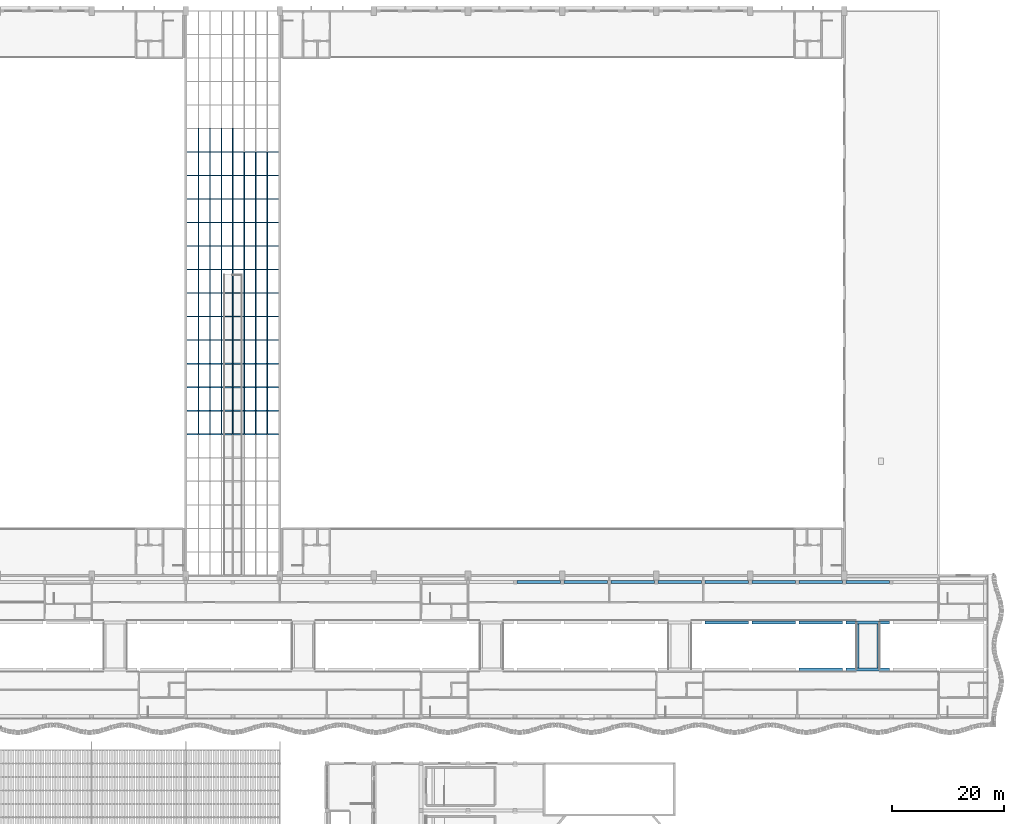
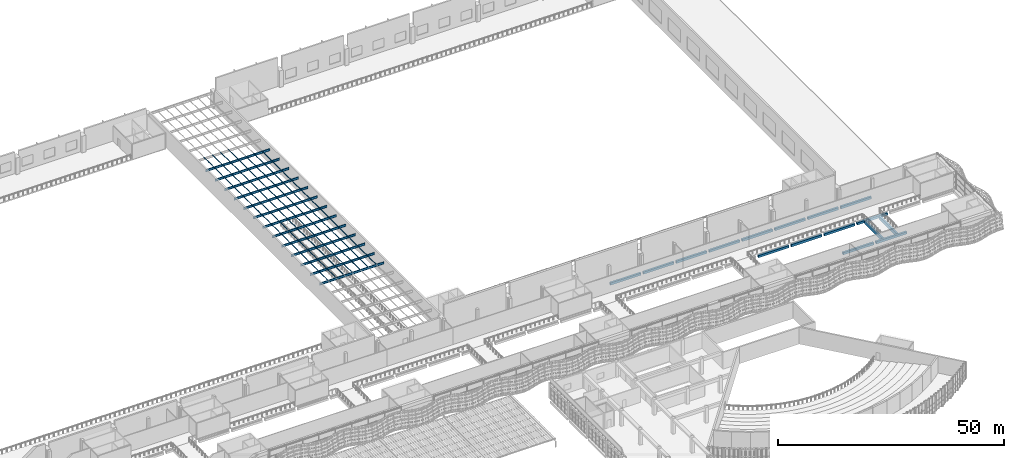
# One storey, part 55 of 162: 88 members, 29 beams.
"""IFC4 building model written with IfcOpenShell, lengths in metres."""

import ifcopenshell
import ifcopenshell.guid

model = None  # the IFC model being written
_history = None  # IfcOwnerHistory: only IFC2X3 demands one
_inside = {}  # id of a spatial element -> (the spatial element, [elements in it])
_under = {}  # id of a project, library or spatial element -> (it, [spatial elements below it])
_declared = {}  # id of a project -> (the project, [libraries it declares])
_typed = {}  # id of a type object -> (the type object, [elements of that type])
_made_of = {}  # id of a material, layer set ... -> (it, [elements and type objects made of it])


def new_model(schema):
    """Start an empty IFC model of exactly this schema.

    Asked for "IFC4X3", IfcOpenShell would pick the latest addendum, in which some entities
    have other attributes; the version numbers below select the first issue.
    IFC2X3 requires an IfcOwnerHistory on every rooted entity: one is made here for all.
    """
    global model, _history
    if schema == "IFC4X3":
        model = ifcopenshell.file(schema_version=(4, 3, 0, 0))
    else:
        model = ifcopenshell.file(schema=schema)
    _inside.clear()
    _under.clear()
    _declared.clear()
    _typed.clear()
    _made_of.clear()
    _history = None
    if model.schema == "IFC2X3":
        org = make("IfcOrganization", Name="unknown")
        user = make(
            "IfcPersonAndOrganization",
            ThePerson=make("IfcPerson", FamilyName="unknown"),
            TheOrganization=org,
        )
        app = make(
            "IfcApplication",
            ApplicationDeveloper=org,
            Version="unknown",
            ApplicationFullName="unknown",
            ApplicationIdentifier="unknown",
        )
        _history = make(
            "IfcOwnerHistory",
            OwningUser=user,
            OwningApplication=app,
            ChangeAction="ADDED",
            CreationDate=0,
        )
    return model


def make(cls, **values):
    """One entity of the class cls with the attributes given. An attribute that is None is left unset."""
    return model.create_entity(
        cls, **{name: value for name, value in values.items() if value is not None}
    )


def rooted(cls, **values):
    """An entity with a GlobalId (a new one), such as an element, a storey or a relation."""
    return make(cls, GlobalId=ifcopenshell.guid.new(), OwnerHistory=_history, **values)


def si_unit(unit_type, name, prefix=None):
    """IfcSIUnit, for example si_unit("LENGTHUNIT", "METRE", prefix="MILLI")."""
    return make("IfcSIUnit", UnitType=unit_type, Prefix=prefix, Name=name)


def assignment(units):
    """IfcUnitAssignment: the units of a project."""
    return None if units is None else make("IfcUnitAssignment", Units=units)


def point(xyz):
    """IfcCartesianPoint."""
    return None if xyz is None else make("IfcCartesianPoint", Coordinates=xyz)


def direction(xyz):
    """IfcDirection."""
    return None if xyz is None else make("IfcDirection", DirectionRatios=xyz)


def frame(location, z_axis=None, x_axis=None):
    """IfcAxis2Placement3D, a coordinate frame: its origin and axes. An axis left out is left unset."""
    return make(
        "IfcAxis2Placement3D",
        Location=point(location),
        Axis=direction(z_axis),
        RefDirection=direction(x_axis),
    )


def frame_2d(location, x_axis=None):
    """IfcAxis2Placement2D, a coordinate frame in the plane: its origin and x axis."""
    return make(
        "IfcAxis2Placement2D", Location=point(location), RefDirection=direction(x_axis)
    )


def origin():
    """The frame at (0, 0, 0) with its axes left unset."""
    return frame((0.0, 0.0, 0.0))


def origin_2d():
    """The frame at (0, 0) in the plane with its x axis left unset."""
    return frame_2d((0.0, 0.0))


def place(relative_to, where):
    """IfcLocalPlacement: puts the frame where relative to a parent placement (None: the world)."""
    return make(
        "IfcLocalPlacement", PlacementRelTo=relative_to, RelativePlacement=where
    )


def context(
    kind, dimensions, precision=None, world=None, true_north=None, identifier=None
):
    """IfcGeometricRepresentationContext, for example the 3D "Model" context."""
    return make(
        "IfcGeometricRepresentationContext",
        ContextIdentifier=identifier,
        ContextType=kind,
        CoordinateSpaceDimension=dimensions,
        Precision=precision,
        WorldCoordinateSystem=world,
        TrueNorth=true_north,
    )


def subcontext(parent, identifier, kind, view, scale=None):
    """IfcGeometricRepresentationSubContext, for example "Body" below "Model"."""
    return make(
        "IfcGeometricRepresentationSubContext",
        ContextIdentifier=identifier,
        ContextType=kind,
        ParentContext=parent,
        TargetScale=scale,
        TargetView=view,
    )


def project(units=None, contexts=None):
    """IfcProject with its units and contexts."""
    return rooted(
        "IfcProject",
        Name="project",
        RepresentationContexts=contexts,
        UnitsInContext=assignment(units),
    )


def spatial(cls, under=None, at=None, **own):
    """A site, building, storey or space (cls), placed at a placement, below another one or the project."""
    s = rooted(cls, ObjectPlacement=at, **own)
    if under is not None:
        _under.setdefault(under.id(), (under, []))[1].append(s)
    return s


def profile(cls, at=None, kind="AREA", **sizes):
    """A parametric profile (cls). Its sizes go by their IFC names, for example OverallWidth=200.0."""
    return make(cls, ProfileType=kind, Position=at, **sizes)


def rectangle(**sizes):
    """IfcRectangleProfileDef."""
    return profile("IfcRectangleProfileDef", **sizes)


def hollow_circle(**sizes):
    """IfcCircleHollowProfileDef."""
    return profile("IfcCircleHollowProfileDef", **sizes)


def i_section(**sizes):
    """IfcIShapeProfileDef."""
    return profile("IfcIShapeProfileDef", **sizes)


def extrude(swept, where, along, depth):
    """IfcExtrudedAreaSolid: the profile swept, set in the frame where, extruded along a direction by depth."""
    return make(
        "IfcExtrudedAreaSolid",
        SweptArea=swept,
        Position=where,
        ExtrudedDirection=direction(along),
        Depth=depth,
    )


def shape(context_of_items, identifier, shape_type, items):
    """IfcShapeRepresentation: the items that make up one representation, for example the "Body"."""
    return make(
        "IfcShapeRepresentation",
        ContextOfItems=context_of_items,
        RepresentationIdentifier=identifier,
        RepresentationType=shape_type,
        Items=items,
    )


def material(Name=None, Category=None):
    """IfcMaterial."""
    return make("IfcMaterial", Name=Name, Category=Category)


def material_profile(
    of_material, cross_section, Name=None, Category=None, Priority=None
):
    """IfcMaterialProfile: a cross section and its material."""
    return make(
        "IfcMaterialProfile",
        Name=Name,
        Material=of_material,
        Profile=cross_section,
        Priority=Priority,
        Category=Category,
    )


def profile_set(profiles, Name=None, composite=None):
    """IfcMaterialProfileSet."""
    return make(
        "IfcMaterialProfileSet",
        Name=Name,
        MaterialProfiles=profiles,
        CompositeProfile=composite,
    )


def made_of(thing, what):
    """Note that an element or type object is made of a material, layer set ...; save() writes the relation."""
    if what is not None:
        _made_of.setdefault(what.id(), (what, []))[1].append(thing)
    return thing


def type_object(cls, material=None, **own):
    """A type object (cls), such as IfcWallType, which elements share."""
    return made_of(rooted(cls, **own), material)


def element(
    cls,
    number,
    at=None,
    inside=None,
    cuts=None,
    type_object=None,
    material=None,
    context=None,
    identifier="Body",
    shape_type=None,
    held_by="IfcProductDefinitionShape",
    body=None,
    shapes=None,
    **own,
):
    """One element of the class cls, such as IfcWall. Its Tag is "e" and its number.

    at: its placement. inside: the storey or other place that contains it. cuts: it is an
    opening in that element (IfcRelVoidsElement). A single representation is given by context,
    identifier, shape_type and body (its items); several are given by shapes. held_by: the class
    of the entity that holds the representations. save() writes the other relations.
    """
    e = rooted(cls, Tag="e%d" % number, ObjectPlacement=at, **own)
    if body is not None:
        shapes = [shape(context, identifier, shape_type, body)]
    if shapes is not None:
        e.Representation = make(held_by, Representations=shapes)
    if inside is not None:
        _inside.setdefault(inside.id(), (inside, []))[1].append(e)
    if cuts is not None:
        rooted(
            "IfcRelVoidsElement", RelatingBuildingElement=cuts, RelatedOpeningElement=e
        )
    if type_object is not None:
        _typed.setdefault(type_object.id(), (type_object, []))[1].append(e)
    return made_of(e, material)


def aggregate(whole, parts):
    """IfcRelAggregates: a whole, such as a stair, and the parts it consists of."""
    return rooted("IfcRelAggregates", RelatingObject=whole, RelatedObjects=parts)


def save(model, path):
    """Write the relations noted so far, then the file.

    IfcRelAggregates (storeys below a building ...), IfcRelContainedInSpatialStructure (elements
    in a storey), IfcRelDefinesByType, IfcRelAssociatesMaterial and IfcRelDeclares: one each for
    every whole, place, type object, material and project.
    """
    for whole, parts in _under.values():
        aggregate(whole, parts)
    for where, things in _inside.values():
        rooted(
            "IfcRelContainedInSpatialStructure",
            RelatedElements=things,
            RelatingStructure=where,
        )
    for kind, things in _typed.values():
        rooted("IfcRelDefinesByType", RelatedObjects=things, RelatingType=kind)
    for what, things in _made_of.values():
        rooted("IfcRelAssociatesMaterial", RelatedObjects=things, RelatingMaterial=what)
    for by, libraries in _declared.values():
        rooted("IfcRelDeclares", RelatingContext=by, RelatedDefinitions=libraries)
    model.write(path)


model = new_model("IFC4")

# Units and contexts
model_context = context("Model", 3, precision=1e-05, world=origin(), true_north=direction((0.0, 1.0)))
body_context = subcontext(model_context, "Body", "Model", "MODEL_VIEW")
ifc_project = project(units=[si_unit("LENGTHUNIT", "METRE"), si_unit("AREAUNIT", "SQUARE_METRE"), si_unit("VOLUMEUNIT", "CUBIC_METRE"), si_unit("PLANEANGLEUNIT", "RADIAN"), si_unit("MASSUNIT", "GRAM", prefix="KILO")], contexts=[model_context])

# Site, building, storey
site_placement = place(None, origin())
site = spatial("IfcSite", under=ifc_project, at=site_placement, CompositionType="ELEMENT")
building_placement = place(site_placement, origin())
building = spatial("IfcBuilding", under=site, at=building_placement, Name="Rain Tree Exposition and Congress Centre", CompositionType="ELEMENT")
storey_placement = place(building_placement, frame((0.0, 0.0, 6.0)))
storey = spatial("IfcBuildingStorey", under=building, at=storey_placement, Name="L01", CompositionType="ELEMENT", Elevation=6.0)

# Beams
ifc_material_1 = material(Name="Precast concrete C50/60", Category="concrete")
ifc_material_profile_1 = material_profile(ifc_material_1, rectangle(XDim=0.39990234375, YDim=0.89990234375, at=origin_2d()), Name="RC 400x900")
ifc_profile_set_1 = profile_set([ifc_material_profile_1], Name="Precast concrete C50/60")
beam_type_1 = type_object("IfcBeamType", Name="Precast beam 400x900", PredefinedType="BEAM", material=ifc_profile_set_1)
for number, where, z_axis, x_axis, name in (
    (1, (246.0, 84.25, -0.75), (0.0, 1.0, 0.0), (-1.0, 0.0, 0.0), "Concourse bridge beam 8.1"),
    (2, (249.60009765625, 84.25, -0.75), (0.0, 1.0, 0.0), (-1.0, 0.0, 0.0), "Concourse bridge beam 8.2"),
):
    element("IfcBeam", number, at=place(storey_placement, frame(where, z_axis=z_axis, x_axis=x_axis)), inside=storey, type_object=beam_type_1, Name=name, PredefinedType="BEAM", context=body_context, shape_type="SweptSolid", body=[
        extrude(rectangle(XDim=0.39990234375, YDim=0.89990234375, at=origin_2d()), origin(), (0.0, 0.0, 1.0), 7.89990234375),
    ])
ifc_material_2 = material(Name="Precast concrete C50/60", Category="concrete")
ifc_material_profile_2 = material_profile(ifc_material_2, rectangle(XDim=0.5, YDim=0.60009765625, at=origin_2d()), Name="RC 500x600")
ifc_profile_set_2 = profile_set([ifc_material_profile_2], Name="Precast concrete C50/60")
beam_type_2 = type_object("IfcBeamType", Name="Precast beam 500x600", PredefinedType="BEAM", material=ifc_profile_set_2)
for number, where, z_axis, x_axis, name in (
    (3, (235.5, 84.0, -0.60009765625), (1.0, 0.0, 0.0), (0.0, 1.0, 0.0), "Concourse floor beam 61"),
    (4, (243.89990234375, 84.0, -0.60009765625), (1.0, 0.0, 0.0), (0.0, 1.0, 0.0), "Concourse floor beam 62"),
    (5, (218.699951171875, 92.39990234375, -0.60009765625), (1.0, 0.0, 0.0), (0.0, 1.0, 0.0), "Concourse floor beam 91"),
):
    element("IfcBeam", number, at=place(storey_placement, frame(where, z_axis=z_axis, x_axis=x_axis)), inside=storey, type_object=beam_type_2, Name=name, PredefinedType="BEAM", context=body_context, shape_type="SweptSolid", body=[
        extrude(rectangle(XDim=0.5, YDim=0.60009765625, at=origin_2d()), origin(), (0.0, 0.0, 1.0), 7.800048828125),
    ])
beam_1_placement = place(storey_placement, frame((227.10009765625, 92.39990234375, -0.60009765625), z_axis=(1.0, 0.0, 0.0), x_axis=(0.0, 1.0, 0.0)))
element("IfcBeam", 6, at=beam_1_placement, inside=storey, type_object=beam_type_2, Name="Concourse floor beam 92", PredefinedType="BEAM", context=body_context, shape_type="SweptSolid", body=[
    extrude(rectangle(XDim=0.5, YDim=0.60009765625, at=origin_2d()), origin(), (0.0, 0.0, 1.0), 7.7998046875),
])
for number, where, z_axis, x_axis, name in (
    (7, (235.5, 92.39990234375, -0.60009765625), (1.0, 0.0, 0.0), (0.0, 1.0, 0.0), "Concourse floor beam 93"),
    (8, (243.89990234375, 92.39990234375, -0.60009765625), (1.0, 0.0, 0.0), (0.0, 1.0, 0.0), "Concourse floor beam 94"),
):
    element("IfcBeam", number, at=place(storey_placement, frame(where, z_axis=z_axis, x_axis=x_axis)), inside=storey, type_object=beam_type_2, Name=name, PredefinedType="BEAM", context=body_context, shape_type="SweptSolid", body=[
        extrude(rectangle(XDim=0.5, YDim=0.60009765625, at=origin_2d()), origin(), (0.0, 0.0, 1.0), 7.800048828125),
    ])
beam_2_placement = place(storey_placement, frame((185.10009765625, 99.60009765625, -0.60009765625), z_axis=(1.0, 0.0, 0.0), x_axis=(0.0, 1.0, 0.0)))
element("IfcBeam", 9, at=beam_2_placement, inside=storey, type_object=beam_type_2, Name="Concourse floor beam 119", PredefinedType="BEAM", context=body_context, shape_type="SweptSolid", body=[
    extrude(rectangle(XDim=0.5, YDim=0.60009765625, at=origin_2d()), origin(), (0.0, 0.0, 1.0), 7.7998046875),
])
for number, where, z_axis, x_axis, name in (
    (10, (193.5, 99.60009765625, -0.60009765625), (1.0, 0.0, 0.0), (0.0, 1.0, 0.0), "Concourse floor beam 120"),
    (11, (201.89990234375, 99.60009765625, -0.60009765625), (1.0, 0.0, 0.0), (0.0, 1.0, 0.0), "Concourse floor beam 121"),
    (12, (210.300048828125, 99.60009765625, -0.60009765625), (1.0, 0.0, 0.0), (0.0, 1.0, 0.0), "Concourse floor beam 122"),
    (13, (218.699951171875, 99.60009765625, -0.60009765625), (1.0, 0.0, 0.0), (0.0, 1.0, 0.0), "Concourse floor beam 123"),
):
    element("IfcBeam", number, at=place(storey_placement, frame(where, z_axis=z_axis, x_axis=x_axis)), inside=storey, type_object=beam_type_2, Name=name, PredefinedType="BEAM", context=body_context, shape_type="SweptSolid", body=[
        extrude(rectangle(XDim=0.5, YDim=0.60009765625, at=origin_2d()), origin(), (0.0, 0.0, 1.0), 7.800048828125),
    ])
beam_3_placement = place(storey_placement, frame((227.10009765625, 99.60009765625, -0.60009765625), z_axis=(1.0, 0.0, 0.0), x_axis=(0.0, 1.0, 0.0)))
element("IfcBeam", 14, at=beam_3_placement, inside=storey, type_object=beam_type_2, Name="Concourse floor beam 124", PredefinedType="BEAM", context=body_context, shape_type="SweptSolid", body=[
    extrude(rectangle(XDim=0.5, YDim=0.60009765625, at=origin_2d()), origin(), (0.0, 0.0, 1.0), 7.7998046875),
])
for number, where, z_axis, x_axis, name in (
    (15, (235.5, 99.60009765625, -0.60009765625), (1.0, 0.0, 0.0), (0.0, 1.0, 0.0), "Concourse floor beam 125"),
    (16, (243.89990234375, 99.60009765625, -0.60009765625), (1.0, 0.0, 0.0), (0.0, 1.0, 0.0), "Concourse floor beam 126"),
):
    element("IfcBeam", number, at=place(storey_placement, frame(where, z_axis=z_axis, x_axis=x_axis)), inside=storey, type_object=beam_type_2, Name=name, PredefinedType="BEAM", context=body_context, shape_type="SweptSolid", body=[
        extrude(rectangle(XDim=0.5, YDim=0.60009765625, at=origin_2d()), origin(), (0.0, 0.0, 1.0), 7.800048828125),
    ])

# Members
ifc_material_3 = material(Name="Steel S355J2H", Category="steel")
ifc_material_profile_3 = material_profile(ifc_material_3, hollow_circle(Radius=0.05712890625, WallThickness=0.00439453125, at=origin_2d()), Name="CHS 114x4.5")
ifc_profile_set_3 = profile_set([ifc_material_profile_3], Name="Steel S355J2H")
member_type = type_object("IfcMemberType", Name="Steel purlin member CHS 114x4.5", PredefinedType="PURLIN", material=ifc_profile_set_3)
for number, where, z_axis, x_axis, name in (
    (17, (128.25, 126.0, 4.257080078125), (0.0, 1.0, 0.0), (-1.0, 0.0, 0.0), "Link roof purlin 7"),
    (18, (128.25, 130.199951171875, 4.257080078125), (0.0, 1.0, 0.0), (-1.0, 0.0, 0.0), "Link roof purlin 8"),
):
    element("IfcMember", number, at=place(storey_placement, frame(where, z_axis=z_axis, x_axis=x_axis)), inside=storey, type_object=member_type, Name=name, PredefinedType="PURLIN", context=body_context, shape_type="SweptSolid", body=[
        extrude(hollow_circle(Radius=0.05712890625, WallThickness=0.00439453125, at=origin_2d()), origin(), (0.0, 0.0, 1.0), 4.199951171875),
    ])
member_1_placement = place(storey_placement, frame((128.25, 134.39990234375, 4.257080078125), z_axis=(0.0, 1.0, 0.0), x_axis=(-1.0, 0.0, 0.0)))
element("IfcMember", 19, at=member_1_placement, inside=storey, type_object=member_type, Name="Link roof purlin 9", PredefinedType="PURLIN", context=body_context, shape_type="SweptSolid", body=[
    extrude(hollow_circle(Radius=0.05712890625, WallThickness=0.00439453125, at=origin_2d()), origin(), (0.0, 0.0, 1.0), 4.2001953125),
])
for number, where, z_axis, x_axis, name in (
    (20, (128.25, 138.60009765625, 4.257080078125), (0.0, 1.0, 0.0), (-1.0, 0.0, 0.0), "Link roof purlin 10"),
    (21, (128.25, 142.800048828125, 4.257080078125), (0.0, 1.0, 0.0), (-1.0, 0.0, 0.0), "Link roof purlin 11"),
    (22, (128.25, 147.0, 4.257080078125), (0.0, 1.0, 0.0), (-1.0, 0.0, 0.0), "Link roof purlin 12"),
    (23, (128.25, 151.199951171875, 4.257080078125), (0.0, 1.0, 0.0), (-1.0, 0.0, 0.0), "Link roof purlin 13"),
):
    element("IfcMember", number, at=place(storey_placement, frame(where, z_axis=z_axis, x_axis=x_axis)), inside=storey, type_object=member_type, Name=name, PredefinedType="PURLIN", context=body_context, shape_type="SweptSolid", body=[
        extrude(hollow_circle(Radius=0.05712890625, WallThickness=0.00439453125, at=origin_2d()), origin(), (0.0, 0.0, 1.0), 4.199951171875),
    ])
member_2_placement = place(storey_placement, frame((128.25, 155.39990234375, 4.257080078125), z_axis=(0.0, 1.0, 0.0), x_axis=(-1.0, 0.0, 0.0)))
element("IfcMember", 24, at=member_2_placement, inside=storey, type_object=member_type, Name="Link roof purlin 14", PredefinedType="PURLIN", context=body_context, shape_type="SweptSolid", body=[
    extrude(hollow_circle(Radius=0.05712890625, WallThickness=0.00439453125, at=origin_2d()), origin(), (0.0, 0.0, 1.0), 4.2001953125),
])
for number, where, z_axis, x_axis, name in (
    (25, (128.25, 159.60009765625, 4.257080078125), (0.0, 1.0, 0.0), (-1.0, 0.0, 0.0), "Link roof purlin 15"),
    (26, (128.25, 163.800048828125, 4.257080078125), (0.0, 1.0, 0.0), (-1.0, 0.0, 0.0), "Link roof purlin 16"),
    (27, (128.25, 168.0, 4.257080078125), (0.0, 1.0, 0.0), (-1.0, 0.0, 0.0), "Link roof purlin 17"),
    (28, (128.25, 172.199951171875, 4.257080078125), (0.0, 1.0, 0.0), (-1.0, 0.0, 0.0), "Link roof purlin 18"),
):
    element("IfcMember", number, at=place(storey_placement, frame(where, z_axis=z_axis, x_axis=x_axis)), inside=storey, type_object=member_type, Name=name, PredefinedType="PURLIN", context=body_context, shape_type="SweptSolid", body=[
        extrude(hollow_circle(Radius=0.05712890625, WallThickness=0.00439453125, at=origin_2d()), origin(), (0.0, 0.0, 1.0), 4.199951171875),
    ])
member_3_placement = place(storey_placement, frame((128.25, 176.39990234375, 4.257080078125), z_axis=(0.0, 1.0, 0.0), x_axis=(-1.0, 0.0, 0.0)))
element("IfcMember", 29, at=member_3_placement, inside=storey, type_object=member_type, Name="Link roof purlin 19", PredefinedType="PURLIN", context=body_context, shape_type="SweptSolid", body=[
    extrude(hollow_circle(Radius=0.05712890625, WallThickness=0.00439453125, at=origin_2d()), origin(), (0.0, 0.0, 1.0), 4.2001953125),
])
for number, where, z_axis, x_axis, name in (
    (30, (130.300048828125, 126.0, 4.257080078125), (0.0, 1.0, 0.0), (-1.0, 0.0, 0.0), "Link roof purlin 31"),
    (31, (130.300048828125, 130.199951171875, 4.257080078125), (0.0, 1.0, 0.0), (-1.0, 0.0, 0.0), "Link roof purlin 32"),
):
    element("IfcMember", number, at=place(storey_placement, frame(where, z_axis=z_axis, x_axis=x_axis)), inside=storey, type_object=member_type, Name=name, PredefinedType="PURLIN", context=body_context, shape_type="SweptSolid", body=[
        extrude(hollow_circle(Radius=0.05712890625, WallThickness=0.00439453125, at=origin_2d()), origin(), (0.0, 0.0, 1.0), 4.199951171875),
    ])
member_4_placement = place(storey_placement, frame((130.300048828125, 134.39990234375, 4.257080078125), z_axis=(0.0, 1.0, 0.0), x_axis=(-1.0, 0.0, 0.0)))
element("IfcMember", 32, at=member_4_placement, inside=storey, type_object=member_type, Name="Link roof purlin 33", PredefinedType="PURLIN", context=body_context, shape_type="SweptSolid", body=[
    extrude(hollow_circle(Radius=0.05712890625, WallThickness=0.00439453125, at=origin_2d()), origin(), (0.0, 0.0, 1.0), 4.2001953125),
])
for number, where, z_axis, x_axis, name in (
    (33, (130.300048828125, 138.60009765625, 4.257080078125), (0.0, 1.0, 0.0), (-1.0, 0.0, 0.0), "Link roof purlin 34"),
    (34, (130.300048828125, 142.800048828125, 4.257080078125), (0.0, 1.0, 0.0), (-1.0, 0.0, 0.0), "Link roof purlin 35"),
    (35, (130.300048828125, 147.0, 4.257080078125), (0.0, 1.0, 0.0), (-1.0, 0.0, 0.0), "Link roof purlin 36"),
    (36, (130.300048828125, 151.199951171875, 4.257080078125), (0.0, 1.0, 0.0), (-1.0, 0.0, 0.0), "Link roof purlin 37"),
):
    element("IfcMember", number, at=place(storey_placement, frame(where, z_axis=z_axis, x_axis=x_axis)), inside=storey, type_object=member_type, Name=name, PredefinedType="PURLIN", context=body_context, shape_type="SweptSolid", body=[
        extrude(hollow_circle(Radius=0.05712890625, WallThickness=0.00439453125, at=origin_2d()), origin(), (0.0, 0.0, 1.0), 4.199951171875),
    ])
member_5_placement = place(storey_placement, frame((130.300048828125, 155.39990234375, 4.257080078125), z_axis=(0.0, 1.0, 0.0), x_axis=(-1.0, 0.0, 0.0)))
element("IfcMember", 37, at=member_5_placement, inside=storey, type_object=member_type, Name="Link roof purlin 38", PredefinedType="PURLIN", context=body_context, shape_type="SweptSolid", body=[
    extrude(hollow_circle(Radius=0.05712890625, WallThickness=0.00439453125, at=origin_2d()), origin(), (0.0, 0.0, 1.0), 4.2001953125),
])
for number, where, z_axis, x_axis, name in (
    (38, (130.300048828125, 159.60009765625, 4.257080078125), (0.0, 1.0, 0.0), (-1.0, 0.0, 0.0), "Link roof purlin 39"),
    (39, (130.300048828125, 163.800048828125, 4.257080078125), (0.0, 1.0, 0.0), (-1.0, 0.0, 0.0), "Link roof purlin 40"),
    (40, (130.300048828125, 168.0, 4.257080078125), (0.0, 1.0, 0.0), (-1.0, 0.0, 0.0), "Link roof purlin 41"),
    (41, (130.300048828125, 172.199951171875, 4.257080078125), (0.0, 1.0, 0.0), (-1.0, 0.0, 0.0), "Link roof purlin 42"),
):
    element("IfcMember", number, at=place(storey_placement, frame(where, z_axis=z_axis, x_axis=x_axis)), inside=storey, type_object=member_type, Name=name, PredefinedType="PURLIN", context=body_context, shape_type="SweptSolid", body=[
        extrude(hollow_circle(Radius=0.05712890625, WallThickness=0.00439453125, at=origin_2d()), origin(), (0.0, 0.0, 1.0), 4.199951171875),
    ])
member_6_placement = place(storey_placement, frame((130.300048828125, 176.39990234375, 4.257080078125), z_axis=(0.0, 1.0, 0.0), x_axis=(-1.0, 0.0, 0.0)))
element("IfcMember", 42, at=member_6_placement, inside=storey, type_object=member_type, Name="Link roof purlin 43", PredefinedType="PURLIN", context=body_context, shape_type="SweptSolid", body=[
    extrude(hollow_circle(Radius=0.05712890625, WallThickness=0.00439453125, at=origin_2d()), origin(), (0.0, 0.0, 1.0), 4.2001953125),
])
for number, where, z_axis, x_axis, name in (
    (43, (132.35009765625, 126.0, 4.257080078125), (0.0, 1.0, 0.0), (-1.0, 0.0, 0.0), "Link roof purlin 55"),
    (44, (132.35009765625, 130.199951171875, 4.257080078125), (0.0, 1.0, 0.0), (-1.0, 0.0, 0.0), "Link roof purlin 56"),
):
    element("IfcMember", number, at=place(storey_placement, frame(where, z_axis=z_axis, x_axis=x_axis)), inside=storey, type_object=member_type, Name=name, PredefinedType="PURLIN", context=body_context, shape_type="SweptSolid", body=[
        extrude(hollow_circle(Radius=0.05712890625, WallThickness=0.00439453125, at=origin_2d()), origin(), (0.0, 0.0, 1.0), 4.199951171875),
    ])
member_7_placement = place(storey_placement, frame((132.35009765625, 134.39990234375, 4.257080078125), z_axis=(0.0, 1.0, 0.0), x_axis=(-1.0, 0.0, 0.0)))
element("IfcMember", 45, at=member_7_placement, inside=storey, type_object=member_type, Name="Link roof purlin 57", PredefinedType="PURLIN", context=body_context, shape_type="SweptSolid", body=[
    extrude(hollow_circle(Radius=0.05712890625, WallThickness=0.00439453125, at=origin_2d()), origin(), (0.0, 0.0, 1.0), 4.2001953125),
])
for number, where, z_axis, x_axis, name in (
    (46, (132.35009765625, 138.60009765625, 4.257080078125), (0.0, 1.0, 0.0), (-1.0, 0.0, 0.0), "Link roof purlin 58"),
    (47, (132.35009765625, 142.800048828125, 4.257080078125), (0.0, 1.0, 0.0), (-1.0, 0.0, 0.0), "Link roof purlin 59"),
    (48, (132.35009765625, 147.0, 4.257080078125), (0.0, 1.0, 0.0), (-1.0, 0.0, 0.0), "Link roof purlin 60"),
    (49, (132.35009765625, 151.199951171875, 4.257080078125), (0.0, 1.0, 0.0), (-1.0, 0.0, 0.0), "Link roof purlin 61"),
):
    element("IfcMember", number, at=place(storey_placement, frame(where, z_axis=z_axis, x_axis=x_axis)), inside=storey, type_object=member_type, Name=name, PredefinedType="PURLIN", context=body_context, shape_type="SweptSolid", body=[
        extrude(hollow_circle(Radius=0.05712890625, WallThickness=0.00439453125, at=origin_2d()), origin(), (0.0, 0.0, 1.0), 4.199951171875),
    ])
member_8_placement = place(storey_placement, frame((132.35009765625, 155.39990234375, 4.257080078125), z_axis=(0.0, 1.0, 0.0), x_axis=(-1.0, 0.0, 0.0)))
element("IfcMember", 50, at=member_8_placement, inside=storey, type_object=member_type, Name="Link roof purlin 62", PredefinedType="PURLIN", context=body_context, shape_type="SweptSolid", body=[
    extrude(hollow_circle(Radius=0.05712890625, WallThickness=0.00439453125, at=origin_2d()), origin(), (0.0, 0.0, 1.0), 4.2001953125),
])
for number, where, z_axis, x_axis, name in (
    (51, (132.35009765625, 159.60009765625, 4.257080078125), (0.0, 1.0, 0.0), (-1.0, 0.0, 0.0), "Link roof purlin 63"),
    (52, (132.35009765625, 163.800048828125, 4.257080078125), (0.0, 1.0, 0.0), (-1.0, 0.0, 0.0), "Link roof purlin 64"),
    (53, (132.35009765625, 168.0, 4.257080078125), (0.0, 1.0, 0.0), (-1.0, 0.0, 0.0), "Link roof purlin 65"),
    (54, (132.35009765625, 172.199951171875, 4.257080078125), (0.0, 1.0, 0.0), (-1.0, 0.0, 0.0), "Link roof purlin 66"),
):
    element("IfcMember", number, at=place(storey_placement, frame(where, z_axis=z_axis, x_axis=x_axis)), inside=storey, type_object=member_type, Name=name, PredefinedType="PURLIN", context=body_context, shape_type="SweptSolid", body=[
        extrude(hollow_circle(Radius=0.05712890625, WallThickness=0.00439453125, at=origin_2d()), origin(), (0.0, 0.0, 1.0), 4.199951171875),
    ])
member_9_placement = place(storey_placement, frame((132.35009765625, 176.39990234375, 4.257080078125), z_axis=(0.0, 1.0, 0.0), x_axis=(-1.0, 0.0, 0.0)))
element("IfcMember", 55, at=member_9_placement, inside=storey, type_object=member_type, Name="Link roof purlin 67", PredefinedType="PURLIN", context=body_context, shape_type="SweptSolid", body=[
    extrude(hollow_circle(Radius=0.05712890625, WallThickness=0.00439453125, at=origin_2d()), origin(), (0.0, 0.0, 1.0), 4.2001953125),
])
for number, where, z_axis, x_axis, name in (
    (56, (134.39990234375, 126.0, 4.257080078125), (0.0, 1.0, 0.0), (-1.0, 0.0, 0.0), "Link roof purlin 79"),
    (57, (134.39990234375, 130.199951171875, 4.257080078125), (0.0, 1.0, 0.0), (-1.0, 0.0, 0.0), "Link roof purlin 80"),
):
    element("IfcMember", number, at=place(storey_placement, frame(where, z_axis=z_axis, x_axis=x_axis)), inside=storey, type_object=member_type, Name=name, PredefinedType="PURLIN", context=body_context, shape_type="SweptSolid", body=[
        extrude(hollow_circle(Radius=0.05712890625, WallThickness=0.00439453125, at=origin_2d()), origin(), (0.0, 0.0, 1.0), 4.199951171875),
    ])
member_10_placement = place(storey_placement, frame((134.39990234375, 134.39990234375, 4.257080078125), z_axis=(0.0, 1.0, 0.0), x_axis=(-1.0, 0.0, 0.0)))
element("IfcMember", 58, at=member_10_placement, inside=storey, type_object=member_type, Name="Link roof purlin 81", PredefinedType="PURLIN", context=body_context, shape_type="SweptSolid", body=[
    extrude(hollow_circle(Radius=0.05712890625, WallThickness=0.00439453125, at=origin_2d()), origin(), (0.0, 0.0, 1.0), 4.2001953125),
])
for number, where, z_axis, x_axis, name in (
    (59, (134.39990234375, 138.60009765625, 4.257080078125), (0.0, 1.0, 0.0), (-1.0, 0.0, 0.0), "Link roof purlin 82"),
    (60, (134.39990234375, 142.800048828125, 4.257080078125), (0.0, 1.0, 0.0), (-1.0, 0.0, 0.0), "Link roof purlin 83"),
    (61, (134.39990234375, 147.0, 4.257080078125), (0.0, 1.0, 0.0), (-1.0, 0.0, 0.0), "Link roof purlin 84"),
    (62, (134.39990234375, 151.199951171875, 4.257080078125), (0.0, 1.0, 0.0), (-1.0, 0.0, 0.0), "Link roof purlin 85"),
):
    element("IfcMember", number, at=place(storey_placement, frame(where, z_axis=z_axis, x_axis=x_axis)), inside=storey, type_object=member_type, Name=name, PredefinedType="PURLIN", context=body_context, shape_type="SweptSolid", body=[
        extrude(hollow_circle(Radius=0.05712890625, WallThickness=0.00439453125, at=origin_2d()), origin(), (0.0, 0.0, 1.0), 4.199951171875),
    ])
member_11_placement = place(storey_placement, frame((134.39990234375, 155.39990234375, 4.257080078125), z_axis=(0.0, 1.0, 0.0), x_axis=(-1.0, 0.0, 0.0)))
element("IfcMember", 63, at=member_11_placement, inside=storey, type_object=member_type, Name="Link roof purlin 86", PredefinedType="PURLIN", context=body_context, shape_type="SweptSolid", body=[
    extrude(hollow_circle(Radius=0.05712890625, WallThickness=0.00439453125, at=origin_2d()), origin(), (0.0, 0.0, 1.0), 4.2001953125),
])
for number, where, z_axis, x_axis, name in (
    (64, (134.39990234375, 159.60009765625, 4.257080078125), (0.0, 1.0, 0.0), (-1.0, 0.0, 0.0), "Link roof purlin 87"),
    (65, (134.39990234375, 163.800048828125, 4.257080078125), (0.0, 1.0, 0.0), (-1.0, 0.0, 0.0), "Link roof purlin 88"),
    (66, (134.39990234375, 168.0, 4.257080078125), (0.0, 1.0, 0.0), (-1.0, 0.0, 0.0), "Link roof purlin 89"),
    (67, (134.39990234375, 172.199951171875, 4.257080078125), (0.0, 1.0, 0.0), (-1.0, 0.0, 0.0), "Link roof purlin 90"),
):
    element("IfcMember", number, at=place(storey_placement, frame(where, z_axis=z_axis, x_axis=x_axis)), inside=storey, type_object=member_type, Name=name, PredefinedType="PURLIN", context=body_context, shape_type="SweptSolid", body=[
        extrude(hollow_circle(Radius=0.05712890625, WallThickness=0.00439453125, at=origin_2d()), origin(), (0.0, 0.0, 1.0), 4.199951171875),
    ])
member_12_placement = place(storey_placement, frame((134.39990234375, 176.39990234375, 4.257080078125), z_axis=(0.0, 1.0, 0.0), x_axis=(-1.0, 0.0, 0.0)))
element("IfcMember", 68, at=member_12_placement, inside=storey, type_object=member_type, Name="Link roof purlin 91", PredefinedType="PURLIN", context=body_context, shape_type="SweptSolid", body=[
    extrude(hollow_circle(Radius=0.05712890625, WallThickness=0.00439453125, at=origin_2d()), origin(), (0.0, 0.0, 1.0), 4.2001953125),
])
for number, where, z_axis, x_axis, name in (
    (69, (136.449951171875, 126.0, 4.257080078125), (0.0, 1.0, 0.0), (-1.0, 0.0, 0.0), "Link roof purlin 103"),
    (70, (136.449951171875, 130.199951171875, 4.257080078125), (0.0, 1.0, 0.0), (-1.0, 0.0, 0.0), "Link roof purlin 104"),
):
    element("IfcMember", number, at=place(storey_placement, frame(where, z_axis=z_axis, x_axis=x_axis)), inside=storey, type_object=member_type, Name=name, PredefinedType="PURLIN", context=body_context, shape_type="SweptSolid", body=[
        extrude(hollow_circle(Radius=0.05712890625, WallThickness=0.00439453125, at=origin_2d()), origin(), (0.0, 0.0, 1.0), 4.199951171875),
    ])
member_13_placement = place(storey_placement, frame((136.449951171875, 134.39990234375, 4.257080078125), z_axis=(0.0, 1.0, 0.0), x_axis=(-1.0, 0.0, 0.0)))
element("IfcMember", 71, at=member_13_placement, inside=storey, type_object=member_type, Name="Link roof purlin 105", PredefinedType="PURLIN", context=body_context, shape_type="SweptSolid", body=[
    extrude(hollow_circle(Radius=0.05712890625, WallThickness=0.00439453125, at=origin_2d()), origin(), (0.0, 0.0, 1.0), 4.2001953125),
])
for number, where, z_axis, x_axis, name in (
    (72, (136.449951171875, 138.60009765625, 4.257080078125), (0.0, 1.0, 0.0), (-1.0, 0.0, 0.0), "Link roof purlin 106"),
    (73, (136.449951171875, 142.800048828125, 4.257080078125), (0.0, 1.0, 0.0), (-1.0, 0.0, 0.0), "Link roof purlin 107"),
    (74, (136.449951171875, 147.0, 4.257080078125), (0.0, 1.0, 0.0), (-1.0, 0.0, 0.0), "Link roof purlin 108"),
    (75, (136.449951171875, 151.199951171875, 4.257080078125), (0.0, 1.0, 0.0), (-1.0, 0.0, 0.0), "Link roof purlin 109"),
):
    element("IfcMember", number, at=place(storey_placement, frame(where, z_axis=z_axis, x_axis=x_axis)), inside=storey, type_object=member_type, Name=name, PredefinedType="PURLIN", context=body_context, shape_type="SweptSolid", body=[
        extrude(hollow_circle(Radius=0.05712890625, WallThickness=0.00439453125, at=origin_2d()), origin(), (0.0, 0.0, 1.0), 4.199951171875),
    ])
member_14_placement = place(storey_placement, frame((136.449951171875, 155.39990234375, 4.257080078125), z_axis=(0.0, 1.0, 0.0), x_axis=(-1.0, 0.0, 0.0)))
element("IfcMember", 76, at=member_14_placement, inside=storey, type_object=member_type, Name="Link roof purlin 110", PredefinedType="PURLIN", context=body_context, shape_type="SweptSolid", body=[
    extrude(hollow_circle(Radius=0.05712890625, WallThickness=0.00439453125, at=origin_2d()), origin(), (0.0, 0.0, 1.0), 4.2001953125),
])
for number, where, z_axis, x_axis, name in (
    (77, (136.449951171875, 159.60009765625, 4.257080078125), (0.0, 1.0, 0.0), (-1.0, 0.0, 0.0), "Link roof purlin 111"),
    (78, (136.449951171875, 163.800048828125, 4.257080078125), (0.0, 1.0, 0.0), (-1.0, 0.0, 0.0), "Link roof purlin 112"),
    (79, (136.449951171875, 168.0, 4.257080078125), (0.0, 1.0, 0.0), (-1.0, 0.0, 0.0), "Link roof purlin 113"),
    (80, (136.449951171875, 172.199951171875, 4.257080078125), (0.0, 1.0, 0.0), (-1.0, 0.0, 0.0), "Link roof purlin 114"),
    (81, (138.5, 126.0, 4.257080078125), (0.0, 1.0, 0.0), (-1.0, 0.0, 0.0), "Link roof purlin 127"),
    (82, (138.5, 130.199951171875, 4.257080078125), (0.0, 1.0, 0.0), (-1.0, 0.0, 0.0), "Link roof purlin 128"),
):
    element("IfcMember", number, at=place(storey_placement, frame(where, z_axis=z_axis, x_axis=x_axis)), inside=storey, type_object=member_type, Name=name, PredefinedType="PURLIN", context=body_context, shape_type="SweptSolid", body=[
        extrude(hollow_circle(Radius=0.05712890625, WallThickness=0.00439453125, at=origin_2d()), origin(), (0.0, 0.0, 1.0), 4.199951171875),
    ])
member_15_placement = place(storey_placement, frame((138.5, 134.39990234375, 4.257080078125), z_axis=(0.0, 1.0, 0.0), x_axis=(-1.0, 0.0, 0.0)))
element("IfcMember", 83, at=member_15_placement, inside=storey, type_object=member_type, Name="Link roof purlin 129", PredefinedType="PURLIN", context=body_context, shape_type="SweptSolid", body=[
    extrude(hollow_circle(Radius=0.05712890625, WallThickness=0.00439453125, at=origin_2d()), origin(), (0.0, 0.0, 1.0), 4.2001953125),
])
for number, where, z_axis, x_axis, name in (
    (84, (138.5, 138.60009765625, 4.257080078125), (0.0, 1.0, 0.0), (-1.0, 0.0, 0.0), "Link roof purlin 130"),
    (85, (138.5, 142.800048828125, 4.257080078125), (0.0, 1.0, 0.0), (-1.0, 0.0, 0.0), "Link roof purlin 131"),
    (86, (138.5, 147.0, 4.257080078125), (0.0, 1.0, 0.0), (-1.0, 0.0, 0.0), "Link roof purlin 132"),
    (87, (138.5, 151.199951171875, 4.257080078125), (0.0, 1.0, 0.0), (-1.0, 0.0, 0.0), "Link roof purlin 133"),
):
    element("IfcMember", number, at=place(storey_placement, frame(where, z_axis=z_axis, x_axis=x_axis)), inside=storey, type_object=member_type, Name=name, PredefinedType="PURLIN", context=body_context, shape_type="SweptSolid", body=[
        extrude(hollow_circle(Radius=0.05712890625, WallThickness=0.00439453125, at=origin_2d()), origin(), (0.0, 0.0, 1.0), 4.199951171875),
    ])
member_16_placement = place(storey_placement, frame((138.5, 155.39990234375, 4.257080078125), z_axis=(0.0, 1.0, 0.0), x_axis=(-1.0, 0.0, 0.0)))
element("IfcMember", 88, at=member_16_placement, inside=storey, type_object=member_type, Name="Link roof purlin 134", PredefinedType="PURLIN", context=body_context, shape_type="SweptSolid", body=[
    extrude(hollow_circle(Radius=0.05712890625, WallThickness=0.00439453125, at=origin_2d()), origin(), (0.0, 0.0, 1.0), 4.2001953125),
])
for number, where, z_axis, x_axis, name in (
    (89, (138.5, 159.60009765625, 4.257080078125), (0.0, 1.0, 0.0), (-1.0, 0.0, 0.0), "Link roof purlin 135"),
    (90, (138.5, 163.800048828125, 4.257080078125), (0.0, 1.0, 0.0), (-1.0, 0.0, 0.0), "Link roof purlin 136"),
    (91, (138.5, 168.0, 4.257080078125), (0.0, 1.0, 0.0), (-1.0, 0.0, 0.0), "Link roof purlin 137"),
    (92, (138.5, 172.199951171875, 4.257080078125), (0.0, 1.0, 0.0), (-1.0, 0.0, 0.0), "Link roof purlin 138"),
    (93, (140.550048828125, 126.0, 4.257080078125), (0.0, 1.0, 0.0), (-1.0, 0.0, 0.0), "Link roof purlin 151"),
    (94, (140.550048828125, 130.199951171875, 4.257080078125), (0.0, 1.0, 0.0), (-1.0, 0.0, 0.0), "Link roof purlin 152"),
):
    element("IfcMember", number, at=place(storey_placement, frame(where, z_axis=z_axis, x_axis=x_axis)), inside=storey, type_object=member_type, Name=name, PredefinedType="PURLIN", context=body_context, shape_type="SweptSolid", body=[
        extrude(hollow_circle(Radius=0.05712890625, WallThickness=0.00439453125, at=origin_2d()), origin(), (0.0, 0.0, 1.0), 4.199951171875),
    ])
member_17_placement = place(storey_placement, frame((140.550048828125, 134.39990234375, 4.257080078125), z_axis=(0.0, 1.0, 0.0), x_axis=(-1.0, 0.0, 0.0)))
element("IfcMember", 95, at=member_17_placement, inside=storey, type_object=member_type, Name="Link roof purlin 153", PredefinedType="PURLIN", context=body_context, shape_type="SweptSolid", body=[
    extrude(hollow_circle(Radius=0.05712890625, WallThickness=0.00439453125, at=origin_2d()), origin(), (0.0, 0.0, 1.0), 4.2001953125),
])
for number, where, z_axis, x_axis, name in (
    (96, (140.550048828125, 138.60009765625, 4.257080078125), (0.0, 1.0, 0.0), (-1.0, 0.0, 0.0), "Link roof purlin 154"),
    (97, (140.550048828125, 142.800048828125, 4.257080078125), (0.0, 1.0, 0.0), (-1.0, 0.0, 0.0), "Link roof purlin 155"),
    (98, (140.550048828125, 147.0, 4.257080078125), (0.0, 1.0, 0.0), (-1.0, 0.0, 0.0), "Link roof purlin 156"),
    (99, (140.550048828125, 151.199951171875, 4.257080078125), (0.0, 1.0, 0.0), (-1.0, 0.0, 0.0), "Link roof purlin 157"),
):
    element("IfcMember", number, at=place(storey_placement, frame(where, z_axis=z_axis, x_axis=x_axis)), inside=storey, type_object=member_type, Name=name, PredefinedType="PURLIN", context=body_context, shape_type="SweptSolid", body=[
        extrude(hollow_circle(Radius=0.05712890625, WallThickness=0.00439453125, at=origin_2d()), origin(), (0.0, 0.0, 1.0), 4.199951171875),
    ])
member_18_placement = place(storey_placement, frame((140.550048828125, 155.39990234375, 4.257080078125), z_axis=(0.0, 1.0, 0.0), x_axis=(-1.0, 0.0, 0.0)))
element("IfcMember", 100, at=member_18_placement, inside=storey, type_object=member_type, Name="Link roof purlin 158", PredefinedType="PURLIN", context=body_context, shape_type="SweptSolid", body=[
    extrude(hollow_circle(Radius=0.05712890625, WallThickness=0.00439453125, at=origin_2d()), origin(), (0.0, 0.0, 1.0), 4.2001953125),
])
for number, where, z_axis, x_axis, name in (
    (101, (140.550048828125, 159.60009765625, 4.257080078125), (0.0, 1.0, 0.0), (-1.0, 0.0, 0.0), "Link roof purlin 159"),
    (102, (140.550048828125, 163.800048828125, 4.257080078125), (0.0, 1.0, 0.0), (-1.0, 0.0, 0.0), "Link roof purlin 160"),
    (103, (140.550048828125, 168.0, 4.257080078125), (0.0, 1.0, 0.0), (-1.0, 0.0, 0.0), "Link roof purlin 161"),
    (104, (140.550048828125, 172.199951171875, 4.257080078125), (0.0, 1.0, 0.0), (-1.0, 0.0, 0.0), "Link roof purlin 162"),
):
    element("IfcMember", number, at=place(storey_placement, frame(where, z_axis=z_axis, x_axis=x_axis)), inside=storey, type_object=member_type, Name=name, PredefinedType="PURLIN", context=body_context, shape_type="SweptSolid", body=[
        extrude(hollow_circle(Radius=0.05712890625, WallThickness=0.00439453125, at=origin_2d()), origin(), (0.0, 0.0, 1.0), 4.199951171875),
    ])

# Beams
ifc_material_4 = material(Name="Steel S355J2", Category="steel")
ifc_material_profile_4 = material_profile(ifc_material_4, i_section(OverallWidth=0.199951171875, OverallDepth=0.60009765625, WebThickness=0.010986328125, FlangeThickness=0.01708984375, FilletRadius=0.02197265625, at=origin_2d()), Name="H 600x200x11x17")
ifc_profile_set_4 = profile_set([ifc_material_profile_4], Name="Steel S355J2")
beam_type_3 = type_object("IfcBeamType", Name="Steel roof beam H 600x200x11x17", PredefinedType="BEAM", material=ifc_profile_set_4)
for number, where, z_axis, x_axis, name in (
    (105, (126.199951171875, 126.0, 3.89990234375), (1.0, 0.0, 0.0), (0.0, 1.0, 0.0), "Link roof beam 7"),
    (106, (126.199951171875, 130.199951171875, 3.89990234375), (1.0, 0.0, 0.0), (0.0, 1.0, 0.0), "Link roof beam 8"),
    (107, (126.199951171875, 134.39990234375, 3.89990234375), (1.0, 0.0, 0.0), (0.0, 1.0, 0.0), "Link roof beam 9"),
    (108, (126.199951171875, 138.60009765625, 3.89990234375), (1.0, 0.0, 0.0), (0.0, 1.0, 0.0), "Link roof beam 10"),
    (109, (126.199951171875, 142.800048828125, 3.89990234375), (1.0, 0.0, 0.0), (0.0, 1.0, 0.0), "Link roof beam 11"),
    (110, (126.199951171875, 147.0, 3.89990234375), (1.0, 0.0, 0.0), (0.0, 1.0, 0.0), "Link roof beam 12"),
    (111, (126.199951171875, 151.199951171875, 3.89990234375), (1.0, 0.0, 0.0), (0.0, 1.0, 0.0), "Link roof beam 13"),
    (112, (126.199951171875, 155.39990234375, 3.89990234375), (1.0, 0.0, 0.0), (0.0, 1.0, 0.0), "Link roof beam 14"),
    (113, (126.199951171875, 159.60009765625, 3.89990234375), (1.0, 0.0, 0.0), (0.0, 1.0, 0.0), "Link roof beam 15"),
    (114, (126.199951171875, 163.800048828125, 3.89990234375), (1.0, 0.0, 0.0), (0.0, 1.0, 0.0), "Link roof beam 16"),
    (115, (126.199951171875, 168.0, 3.89990234375), (1.0, 0.0, 0.0), (0.0, 1.0, 0.0), "Link roof beam 17"),
    (116, (126.199951171875, 172.199951171875, 3.89990234375), (1.0, 0.0, 0.0), (0.0, 1.0, 0.0), "Link roof beam 18"),
    (117, (126.199951171875, 176.39990234375, 3.89990234375), (1.0, 0.0, 0.0), (0.0, 1.0, 0.0), "Link roof beam 19"),
):
    element("IfcBeam", number, at=place(storey_placement, frame(where, z_axis=z_axis, x_axis=x_axis)), inside=storey, type_object=beam_type_3, Name=name, PredefinedType="BEAM", context=body_context, shape_type="SweptSolid", body=[
        extrude(i_section(OverallWidth=0.199951171875, OverallDepth=0.60009765625, WebThickness=0.010986328125, FlangeThickness=0.01708984375, FilletRadius=0.02197265625, at=origin_2d()), origin(), (0.0, 0.0, 1.0), 16.400146484375),
    ])

save(model, "model.ifc")
